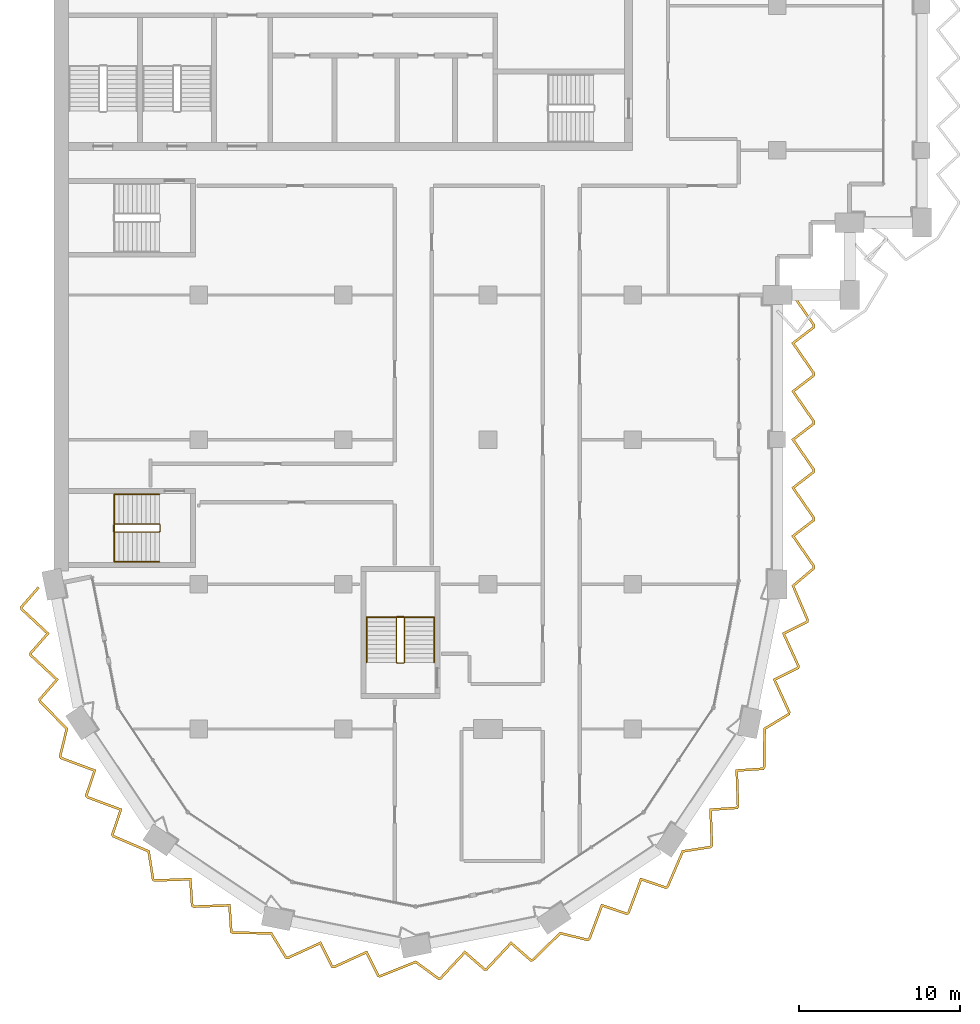
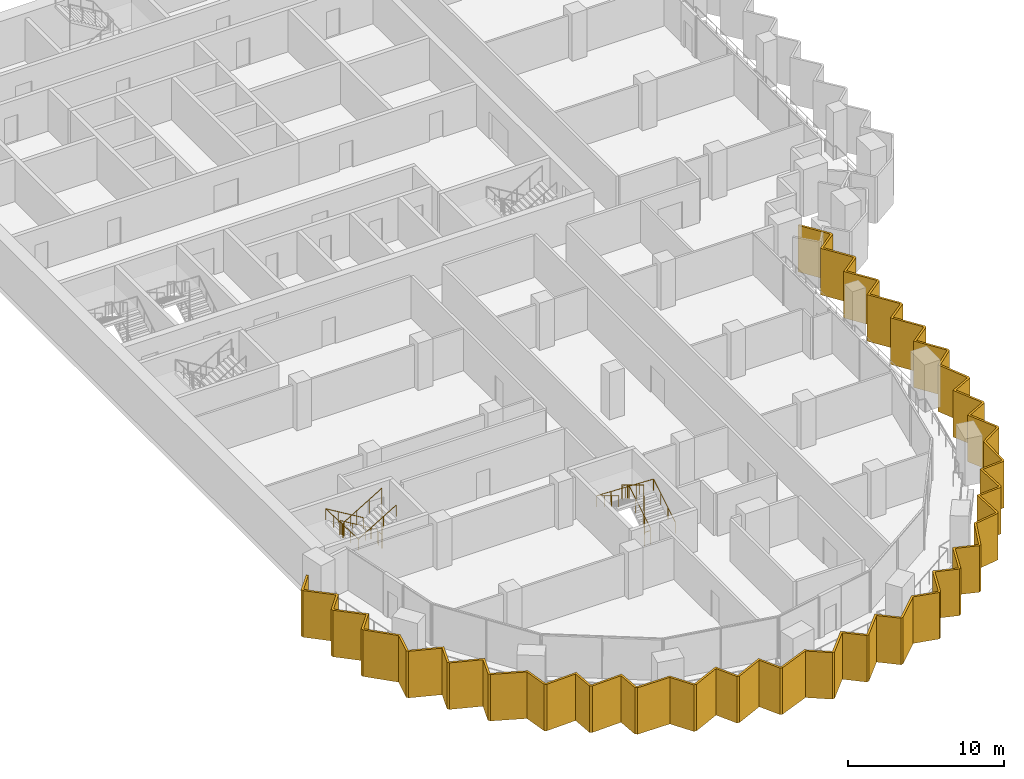
# One storey, part 14 of 17: 4 railings, 1 shading device.
"""IFC4 building model written with IfcOpenShell, lengths in metres."""

import ifcopenshell
import ifcopenshell.guid

model = None  # the IFC model being written
_history = None  # IfcOwnerHistory: only IFC2X3 demands one
_inside = {}  # id of a spatial element -> (the spatial element, [elements in it])
_under = {}  # id of a project, library or spatial element -> (it, [spatial elements below it])
_declared = {}  # id of a project -> (the project, [libraries it declares])
_typed = {}  # id of a type object -> (the type object, [elements of that type])
_made_of = {}  # id of a material, layer set ... -> (it, [elements and type objects made of it])


def new_model(schema):
    """Start an empty IFC model of exactly this schema.

    Asked for "IFC4X3", IfcOpenShell would pick the latest addendum, in which some entities
    have other attributes; the version numbers below select the first issue.
    IFC2X3 requires an IfcOwnerHistory on every rooted entity: one is made here for all.
    """
    global model, _history
    if schema == "IFC4X3":
        model = ifcopenshell.file(schema_version=(4, 3, 0, 0))
    else:
        model = ifcopenshell.file(schema=schema)
    _inside.clear()
    _under.clear()
    _declared.clear()
    _typed.clear()
    _made_of.clear()
    _history = None
    if model.schema == "IFC2X3":
        org = make("IfcOrganization", Name="unknown")
        user = make(
            "IfcPersonAndOrganization",
            ThePerson=make("IfcPerson", FamilyName="unknown"),
            TheOrganization=org,
        )
        app = make(
            "IfcApplication",
            ApplicationDeveloper=org,
            Version="unknown",
            ApplicationFullName="unknown",
            ApplicationIdentifier="unknown",
        )
        _history = make(
            "IfcOwnerHistory",
            OwningUser=user,
            OwningApplication=app,
            ChangeAction="ADDED",
            CreationDate=0,
        )
    return model


def make(cls, **values):
    """One entity of the class cls with the attributes given. An attribute that is None is left unset."""
    return model.create_entity(
        cls, **{name: value for name, value in values.items() if value is not None}
    )


def rooted(cls, **values):
    """An entity with a GlobalId (a new one), such as an element, a storey or a relation."""
    return make(cls, GlobalId=ifcopenshell.guid.new(), OwnerHistory=_history, **values)


def si_unit(unit_type, name, prefix=None):
    """IfcSIUnit, for example si_unit("LENGTHUNIT", "METRE", prefix="MILLI")."""
    return make("IfcSIUnit", UnitType=unit_type, Prefix=prefix, Name=name)


def assignment(units):
    """IfcUnitAssignment: the units of a project."""
    return None if units is None else make("IfcUnitAssignment", Units=units)


def point(xyz):
    """IfcCartesianPoint."""
    return None if xyz is None else make("IfcCartesianPoint", Coordinates=xyz)


def direction(xyz):
    """IfcDirection."""
    return None if xyz is None else make("IfcDirection", DirectionRatios=xyz)


def frame(location, z_axis=None, x_axis=None):
    """IfcAxis2Placement3D, a coordinate frame: its origin and axes. An axis left out is left unset."""
    return make(
        "IfcAxis2Placement3D",
        Location=point(location),
        Axis=direction(z_axis),
        RefDirection=direction(x_axis),
    )


def frame_2d(location, x_axis=None):
    """IfcAxis2Placement2D, a coordinate frame in the plane: its origin and x axis."""
    return make(
        "IfcAxis2Placement2D", Location=point(location), RefDirection=direction(x_axis)
    )


def origin():
    """The frame at (0, 0, 0) with its axes left unset."""
    return frame((0.0, 0.0, 0.0))


def origin_2d():
    """The frame at (0, 0) in the plane with its x axis left unset."""
    return frame_2d((0.0, 0.0))


def place(relative_to, where):
    """IfcLocalPlacement: puts the frame where relative to a parent placement (None: the world)."""
    return make(
        "IfcLocalPlacement", PlacementRelTo=relative_to, RelativePlacement=where
    )


def context(
    kind, dimensions, precision=None, world=None, true_north=None, identifier=None
):
    """IfcGeometricRepresentationContext, for example the 3D "Model" context."""
    return make(
        "IfcGeometricRepresentationContext",
        ContextIdentifier=identifier,
        ContextType=kind,
        CoordinateSpaceDimension=dimensions,
        Precision=precision,
        WorldCoordinateSystem=world,
        TrueNorth=true_north,
    )


def subcontext(parent, identifier, kind, view, scale=None):
    """IfcGeometricRepresentationSubContext, for example "Body" below "Model"."""
    return make(
        "IfcGeometricRepresentationSubContext",
        ContextIdentifier=identifier,
        ContextType=kind,
        ParentContext=parent,
        TargetScale=scale,
        TargetView=view,
    )


def project(units=None, contexts=None):
    """IfcProject with its units and contexts."""
    return rooted(
        "IfcProject",
        Name="project",
        RepresentationContexts=contexts,
        UnitsInContext=assignment(units),
    )


def spatial(cls, under=None, at=None, **own):
    """A site, building, storey or space (cls), placed at a placement, below another one or the project."""
    s = rooted(cls, ObjectPlacement=at, **own)
    if under is not None:
        _under.setdefault(under.id(), (under, []))[1].append(s)
    return s


def polyline(points):
    """IfcPolyline through the points."""
    return make("IfcPolyline", Points=[point(p) for p in points])


def profile(cls, at=None, kind="AREA", **sizes):
    """A parametric profile (cls). Its sizes go by their IFC names, for example OverallWidth=200.0."""
    return make(cls, ProfileType=kind, Position=at, **sizes)


def circle(**sizes):
    """IfcCircleProfileDef."""
    return profile("IfcCircleProfileDef", **sizes)


def outline(outer, holes=None, kind="AREA"):
    """IfcArbitraryClosedProfileDef: a profile drawn as a closed curve; with holes, ...WithVoids."""
    if holes is None:
        return make("IfcArbitraryClosedProfileDef", ProfileType=kind, OuterCurve=outer)
    return make(
        "IfcArbitraryProfileDefWithVoids",
        ProfileType=kind,
        OuterCurve=outer,
        InnerCurves=holes,
    )


def extrude(swept, where, along, depth):
    """IfcExtrudedAreaSolid: the profile swept, set in the frame where, extruded along a direction by depth."""
    return make(
        "IfcExtrudedAreaSolid",
        SweptArea=swept,
        Position=where,
        ExtrudedDirection=direction(along),
        Depth=depth,
    )


def shape(context_of_items, identifier, shape_type, items):
    """IfcShapeRepresentation: the items that make up one representation, for example the "Body"."""
    return make(
        "IfcShapeRepresentation",
        ContextOfItems=context_of_items,
        RepresentationIdentifier=identifier,
        RepresentationType=shape_type,
        Items=items,
    )


def material(Name=None, Category=None):
    """IfcMaterial."""
    return make("IfcMaterial", Name=Name, Category=Category)


def layer(
    of_material, thickness, ventilated=None, Name=None, Category=None, Priority=None
):
    """IfcMaterialLayer: one layer of a wall or slab, of a material (None: an air gap)."""
    return make(
        "IfcMaterialLayer",
        Material=of_material,
        LayerThickness=thickness,
        IsVentilated=ventilated,
        Name=Name,
        Category=Category,
        Priority=Priority,
    )


def layer_set(layers, Name=None):
    """IfcMaterialLayerSet."""
    return make("IfcMaterialLayerSet", MaterialLayers=layers, LayerSetName=Name)


def made_of(thing, what):
    """Note that an element or type object is made of a material, layer set ...; save() writes the relation."""
    if what is not None:
        _made_of.setdefault(what.id(), (what, []))[1].append(thing)
    return thing


def type_object(cls, material=None, **own):
    """A type object (cls), such as IfcWallType, which elements share."""
    return made_of(rooted(cls, **own), material)


def element(
    cls,
    number,
    at=None,
    inside=None,
    cuts=None,
    type_object=None,
    material=None,
    context=None,
    identifier="Body",
    shape_type=None,
    held_by="IfcProductDefinitionShape",
    body=None,
    shapes=None,
    **own,
):
    """One element of the class cls, such as IfcWall. Its Tag is "e" and its number.

    at: its placement. inside: the storey or other place that contains it. cuts: it is an
    opening in that element (IfcRelVoidsElement). A single representation is given by context,
    identifier, shape_type and body (its items); several are given by shapes. held_by: the class
    of the entity that holds the representations. save() writes the other relations.
    """
    e = rooted(cls, Tag="e%d" % number, ObjectPlacement=at, **own)
    if body is not None:
        shapes = [shape(context, identifier, shape_type, body)]
    if shapes is not None:
        e.Representation = make(held_by, Representations=shapes)
    if inside is not None:
        _inside.setdefault(inside.id(), (inside, []))[1].append(e)
    if cuts is not None:
        rooted(
            "IfcRelVoidsElement", RelatingBuildingElement=cuts, RelatedOpeningElement=e
        )
    if type_object is not None:
        _typed.setdefault(type_object.id(), (type_object, []))[1].append(e)
    return made_of(e, material)


def aggregate(whole, parts):
    """IfcRelAggregates: a whole, such as a stair, and the parts it consists of."""
    return rooted("IfcRelAggregates", RelatingObject=whole, RelatedObjects=parts)


def save(model, path):
    """Write the relations noted so far, then the file.

    IfcRelAggregates (storeys below a building ...), IfcRelContainedInSpatialStructure (elements
    in a storey), IfcRelDefinesByType, IfcRelAssociatesMaterial and IfcRelDeclares: one each for
    every whole, place, type object, material and project.
    """
    for whole, parts in _under.values():
        aggregate(whole, parts)
    for where, things in _inside.values():
        rooted(
            "IfcRelContainedInSpatialStructure",
            RelatedElements=things,
            RelatingStructure=where,
        )
    for kind, things in _typed.values():
        rooted("IfcRelDefinesByType", RelatedObjects=things, RelatingType=kind)
    for what, things in _made_of.values():
        rooted("IfcRelAssociatesMaterial", RelatedObjects=things, RelatingMaterial=what)
    for by, libraries in _declared.values():
        rooted("IfcRelDeclares", RelatingContext=by, RelatedDefinitions=libraries)
    model.write(path)


model = new_model("IFC4")

# Units and contexts
model_context = context("Model", 3, precision=1e-05, world=origin(), true_north=direction((0.0, 1.0)))
body_context = subcontext(model_context, "Body", "Model", "MODEL_VIEW")
ifc_project = project(units=[si_unit("LENGTHUNIT", "METRE"), si_unit("AREAUNIT", "SQUARE_METRE"), si_unit("VOLUMEUNIT", "CUBIC_METRE"), si_unit("PLANEANGLEUNIT", "RADIAN"), si_unit("MASSUNIT", "GRAM", prefix="KILO")], contexts=[model_context])

# Site, building, storey
site_placement = place(None, origin())
site = spatial("IfcSite", under=ifc_project, at=site_placement, CompositionType="ELEMENT")
building_placement = place(site_placement, origin())
building = spatial("IfcBuilding", under=site, at=building_placement, Name="Hunhe Ridgeline Campus", CompositionType="ELEMENT")
storey_placement = place(building_placement, frame((0.0, 0.0, 212.39990234375)))
storey = spatial("IfcBuildingStorey", under=building, at=storey_placement, Name="L54", CompositionType="ELEMENT", Elevation=212.39990234375)

# Shading device
ifc_material_1 = material(Name="Concrete C50", Category="concrete")
ifc_layer = layer(ifc_material_1, 0.14990234375)
ifc_layer_set = layer_set([ifc_layer], Name="Sawtooth concrete fin 150 Concrete C50")
shading_device_type = type_object("IfcShadingDeviceType", Name="Sawtooth concrete fin 150 Concrete C50", PredefinedType="USERDEFINED", material=ifc_layer_set)
shading_device_placement = place(storey_placement, frame((0.0, 0.0, -0.949951171875)))
element("IfcShadingDevice", 1, at=shading_device_placement, inside=storey, type_object=shading_device_type, Name="Concrete fin screen 1", ObjectType="FIN", PredefinedType="USERDEFINED", context=body_context, shape_type="SweptSolid", body=[
    extrude(outline(polyline([(-0.899658203125, 35.760498046875), (-1.0126953125, 35.859130859375), (-2.116455078125, 34.594970703125), (-2.081298828125, 34.417236328125), (-0.489501953125, 32.934326171875), (-1.545654296875, 31.724853515625), (-1.51025390625, 31.547119140625), (0.081298828125, 30.064208984375), (-0.974853515625, 28.854736328125), (-0.939697265625, 28.678955078125), (0.711669921875, 26.986572265625), (0.297119140625, 25.2783203125), (0.3955078125, 25.130859375), (2.43359375, 24.369873046875), (1.920654296875, 22.848388671875), (2.021484375, 22.69775390625), (4.059326171875, 21.936767578125), (3.546630859375, 20.415283203125), (3.64599609375, 20.266357421875), (5.8193359375, 19.33447265625), (6.09033203125, 17.59765625), (6.237548828125, 17.499267578125), (8.41162109375, 17.576171875), (8.520263671875, 15.97412109375), (8.670654296875, 15.87353515625), (10.8447265625, 15.9501953125), (10.953369140625, 14.348388671875), (11.102294921875, 14.248779296875), (13.466796875, 14.2197265625), (14.381591796875, 12.71875), (14.555419921875, 12.684326171875), (16.53466796875, 13.587158203125), (17.247802734375, 12.148681640625), (17.425537109375, 12.11328125), (19.40478515625, 13.016357421875), (20.117919921875, 11.577880859375), (20.293701171875, 11.542724609375), (22.4892578125, 12.4208984375), (23.908935546875, 11.38427734375), (24.082763671875, 11.418701171875), (25.565673828125, 13.010498046875), (26.775146484375, 11.954345703125), (26.952880859375, 11.98974609375), (28.435791015625, 13.581298828125), (29.645263671875, 12.525146484375), (29.821044921875, 12.560302734375), (31.513427734375, 14.211669921875), (33.2216796875, 13.797119140625), (33.369140625, 13.8955078125), (34.130126953125, 15.93359375), (35.651611328125, 15.420654296875), (35.80224609375, 15.521484375), (36.563232421875, 17.559326171875), (38.084716796875, 17.046630859375), (38.233642578125, 17.14599609375), (39.16552734375, 19.3193359375), (40.90234375, 19.59033203125), (41.000732421875, 19.737548828125), (40.923828125, 21.91162109375), (42.52587890625, 22.020263671875), (42.62646484375, 22.170654296875), (42.5498046875, 24.3447265625), (44.151611328125, 24.453369140625), (44.251220703125, 24.602294921875), (44.2802734375, 26.966796875), (45.78125, 27.881591796875), (45.815673828125, 28.055419921875), (44.912841796875, 30.03466796875), (46.351318359375, 30.747802734375), (46.38671875, 30.925537109375), (45.483642578125, 32.90478515625), (46.922119140625, 33.617919921875), (46.957275390625, 33.794677734375), (46.065673828125, 35.88232421875), (47.35009765625, 36.96728515625), (47.35009765625, 37.1455078125), (46.0771484375, 38.984130859375), (47.35009765625, 39.965087890625), (47.35009765625, 40.1455078125), (46.0771484375, 41.984130859375), (47.35009765625, 42.965087890625), (47.35009765625, 43.1455078125), (46.0771484375, 44.984130859375), (47.35009765625, 45.965087890625), (47.35009765625, 46.1455078125), (46.0771484375, 47.984130859375), (47.35009765625, 48.965087890625), (47.35009765625, 49.1455078125), (46.0771484375, 50.984130859375), (47.35009765625, 51.965087890625), (47.35009765625, 52.1455078125), (46.03662109375, 54.042724609375), (45.913330078125, 53.957275390625), (47.199951171875, 52.0986328125), (47.199951171875, 52.038818359375), (45.872802734375, 51.015869140625), (47.199951171875, 49.0986328125), (47.199951171875, 49.038818359375), (45.872802734375, 48.015869140625), (47.199951171875, 46.0986328125), (47.199951171875, 46.038818359375), (45.872802734375, 45.015869140625), (47.199951171875, 43.0986328125), (47.199951171875, 43.038818359375), (45.872802734375, 42.015869140625), (47.199951171875, 40.0986328125), (47.199951171875, 40.038818359375), (45.872802734375, 39.015869140625), (47.199951171875, 37.0986328125), (47.199951171875, 37.036865234375), (45.88427734375, 35.925537109375), (46.80126953125, 33.7783203125), (46.78955078125, 33.7197265625), (45.287109375, 32.974609375), (46.22998046875, 30.9072265625), (46.218505859375, 30.849609375), (44.716064453125, 30.1044921875), (45.6591796875, 28.037109375), (45.64697265625, 27.9755859375), (44.13134765625, 27.051513671875), (44.101806640625, 24.648681640625), (44.06787109375, 24.59814453125), (42.394775390625, 24.484619140625), (42.474853515625, 22.2138671875), (42.442138671875, 22.164794921875), (40.768798828125, 22.051513671875), (40.84912109375, 19.78076171875), (40.814208984375, 19.728271484375), (39.060302734375, 19.454833984375), (38.113525390625, 17.24609375), (38.062744140625, 17.212158203125), (36.4736328125, 17.747802734375), (35.6787109375, 15.619140625), (35.629638671875, 15.58642578125), (34.040283203125, 16.1220703125), (33.245361328125, 13.993408203125), (33.193115234375, 13.95849609375), (31.46826171875, 14.376953125), (29.748046875, 12.69873046875), (29.6884765625, 12.686767578125), (28.425048828125, 13.789794921875), (26.8759765625, 12.12744140625), (26.818359375, 12.115966796875), (25.554931640625, 13.218994140625), (24.005859375, 11.556396484375), (23.9443359375, 11.544189453125), (22.5107421875, 12.591064453125), (20.279296875, 11.69873046875), (20.2197265625, 11.71044921875), (19.474609375, 13.212890625), (17.4072265625, 12.27001953125), (17.349609375, 12.281494140625), (16.6044921875, 13.783935546875), (14.537109375, 12.8408203125), (14.4755859375, 12.85302734375), (13.551513671875, 14.36865234375), (11.148681640625, 14.398193359375), (11.09814453125, 14.43212890625), (10.984619140625, 16.105224609375), (8.7138671875, 16.025146484375), (8.664794921875, 16.057861328125), (8.551513671875, 17.731201171875), (6.28076171875, 17.65087890625), (6.228271484375, 17.685791015625), (5.954833984375, 19.439697265625), (3.74609375, 20.386474609375), (3.712158203125, 20.437255859375), (4.247802734375, 22.0263671875), (2.119140625, 22.8212890625), (2.08642578125, 22.870361328125), (2.6220703125, 24.459716796875), (0.493408203125, 25.254638671875), (0.45849609375, 25.306884765625), (0.876953125, 27.03173828125), (-0.80126953125, 28.751953125), (-0.813232421875, 28.8115234375), (0.289794921875, 30.074951171875), (-1.37255859375, 31.6240234375), (-1.384033203125, 31.681640625), (-0.281005859375, 32.945068359375), (-1.943603515625, 34.494140625), (-1.955078125, 34.5517578125), (-0.899658203125, 35.760498046875)])), origin(), (0.0, 0.0, 1.0), 3.650146484375),
])

# Railings
ifc_material_2 = material(Name="Stainless steel balustrade", Category="steel")
railing_type_1 = type_object("IfcRailingType", Name="Stair guard 1100 stainless", PredefinedType="GUARDRAIL", material=ifc_material_2)
railing_1_placement = place(storey_placement, frame((21.800048828125, 31.14990234375, 0.168212890625)))
element("IfcRailing", 2, at=railing_1_placement, inside=storey, type_object=railing_type_1, Name="L54 stair W3 guard", PredefinedType="GUARDRAIL", context=body_context, shape_type="SweptSolid", body=[
    extrude(circle(Radius=0.02392578125, at=origin_2d()), frame((0.0, 0.0, 1.076171875), z_axis=(0.0, 0.857242210791, 0.514913383045), x_axis=(-1.0, 0.0, 0.0)), (0.0, 0.0, 1.0), 3.266357421875),
    extrude(circle(Radius=0.02392578125, at=origin_2d()), frame((0.0, 2.800048828125, 2.7578125), z_axis=(-0.707106781187, 0.707106781187, 0.0), x_axis=(-0.707106781187, -0.707106781187, 0.0)), (0.0, 0.0, 1.0), 0.07080078125),
    extrude(circle(Radius=0.02392578125, at=origin_2d()), frame((-0.050048828125, 2.85009765625, 2.7578125), z_axis=(-1.0, 0.0, 0.0), x_axis=(0.0, -1.0, 0.0)), (0.0, 0.0, 1.0), 0.39990234375),
    extrude(circle(Radius=0.02392578125, at=origin_2d()), frame((-0.449951171875, 2.85009765625, 2.7578125), z_axis=(-0.274243871929, -0.274243871929, 0.92172696468), x_axis=(0.707106781187, -0.707106781187, 0.0)), (0.0, 0.0, 1.0), 0.1826171875),
    extrude(circle(Radius=0.02392578125, at=origin_2d()), frame((-0.5, 2.800048828125, 2.92626953125), z_axis=(0.0, -0.857242210791, 0.514913383045), x_axis=(1.0, 0.0, 0.0)), (0.0, 0.0, 1.0), 3.266357421875),
    extrude(circle(Radius=0.02392578125, at=origin_2d()), frame((-0.5, 0.0, 4.60791015625), z_axis=(0.013523534403, -0.013457565943, -0.999817987404), x_axis=(0.705375805398, 0.708833529934, 0.0)), (0.0, 0.0, 1.0), 3.700927734375),
    extrude(circle(Radius=0.02392578125, at=origin_2d()), frame((-0.449951171875, -0.0498046875, 0.90771484375), z_axis=(1.0, 0.0, 0.0), x_axis=(0.0, 1.0, 0.0)), (0.0, 0.0, 1.0), 0.39990234375),
    extrude(circle(Radius=0.02099609375, at=origin_2d()), origin(), (0.0, 0.0, 1.0), 1.052001953125),
    extrude(circle(Radius=0.02099609375, at=origin_2d()), frame((0.0, 0.933349609375, 0.560546875)), (0.0, 0.0, 1.0), 1.052001953125),
    extrude(circle(Radius=0.02099609375, at=origin_2d()), frame((0.0, 1.86669921875, 1.121337890625)), (0.0, 0.0, 1.0), 1.052001953125),
    extrude(circle(Radius=0.02099609375, at=origin_2d()), frame((0.0, 2.800048828125, 1.681884765625)), (0.0, 0.0, 1.0), 1.052001953125),
    extrude(circle(Radius=0.02099609375, at=origin_2d()), frame((-0.050048828125, 2.85009765625, 1.681884765625)), (0.0, 0.0, 1.0), 1.052001953125),
    extrude(circle(Radius=0.02099609375, at=origin_2d()), frame((-0.449951171875, 2.85009765625, 1.681884765625)), (0.0, 0.0, 1.0), 1.052001953125),
    extrude(circle(Radius=0.02099609375, at=origin_2d()), frame((-0.5, 2.800048828125, 1.85009765625)), (0.0, 0.0, 1.0), 1.052001953125),
    extrude(circle(Radius=0.02099609375, at=origin_2d()), frame((-0.5, 1.86669921875, 2.41064453125)), (0.0, 0.0, 1.0), 1.052001953125),
    extrude(circle(Radius=0.02099609375, at=origin_2d()), frame((-0.5, 0.933349609375, 2.971435546875)), (0.0, 0.0, 1.0), 1.052001953125),
    extrude(circle(Radius=0.02099609375, at=origin_2d()), frame((-0.5, 0.0, 3.531982421875)), (0.0, 0.0, 1.0), 1.052001953125),
    extrude(circle(Radius=0.02099609375, at=origin_2d()), frame((-0.487548828125, -0.012451171875, 2.60693359375)), (0.0, 0.0, 1.0), 1.052001953125),
    extrude(circle(Radius=0.02099609375, at=origin_2d()), frame((-0.47509765625, -0.02490234375, 1.681884765625)), (0.0, 0.0, 1.0), 1.052001953125),
    extrude(circle(Radius=0.02099609375, at=origin_2d()), frame((-0.46240234375, -0.037353515625, 0.7568359375)), (0.0, 0.0, 1.0), 1.052001953125),
    extrude(circle(Radius=0.02099609375, at=origin_2d()), frame((-0.449951171875, -0.0498046875, -0.168212890625)), (0.0, 0.0, 1.0), 1.052001953125),
    extrude(circle(Radius=0.02099609375, at=origin_2d()), frame((-0.050048828125, -0.0498046875, -0.168212890625)), (0.0, 0.0, 1.0), 1.052001953125),
])
railing_2_placement = place(storey_placement, frame((6.550048828125, 39.75, 0.168212890625)))
element("IfcRailing", 3, at=railing_2_placement, inside=storey, type_object=railing_type_1, Name="L54 stair W1 guard", PredefinedType="GUARDRAIL", context=body_context, shape_type="SweptSolid", body=[
    extrude(circle(Radius=0.02392578125, at=origin_2d()), frame((0.0, 0.0, 1.076171875), z_axis=(-0.857242210791, 0.0, 0.514913383045), x_axis=(0.0, -1.0, 0.0)), (0.0, 0.0, 1.0), 3.266357421875),
    extrude(circle(Radius=0.02392578125, at=origin_2d()), frame((-2.800048828125, 0.0, 2.7578125), z_axis=(-0.707106781187, -0.707106781187, 0.0), x_axis=(0.707106781187, -0.707106781187, 0.0)), (0.0, 0.0, 1.0), 0.07080078125),
    extrude(circle(Radius=0.02392578125, at=origin_2d()), frame((-2.85009765625, -0.050048828125, 2.7578125), z_axis=(0.0, -1.0, 0.0), x_axis=(1.0, 0.0, 0.0)), (0.0, 0.0, 1.0), 0.39990234375),
    extrude(circle(Radius=0.02392578125, at=origin_2d()), frame((-2.85009765625, -0.449951171875, 2.7578125), z_axis=(0.274243871929, -0.274243871929, 0.92172696468), x_axis=(0.707106781187, 0.707106781187, 0.0)), (0.0, 0.0, 1.0), 0.1826171875),
    extrude(circle(Radius=0.02392578125, at=origin_2d()), frame((-2.800048828125, -0.5, 2.92626953125), z_axis=(0.857242210791, 0.0, 0.514913383045), x_axis=(0.0, 1.0, 0.0)), (0.0, 0.0, 1.0), 3.266357421875),
    extrude(circle(Radius=0.02392578125, at=origin_2d()), frame((0.0, -0.5, 4.60791015625), z_axis=(0.013523522368, 0.013523522368, -0.999817097616), x_axis=(-0.707106781187, 0.707106781187, 0.0)), (0.0, 0.0, 1.0), 3.700927734375),
    extrude(circle(Radius=0.02392578125, at=origin_2d()), frame((0.050048828125, -0.449951171875, 0.90771484375), z_axis=(0.0, 1.0, 0.0), x_axis=(-1.0, 0.0, 0.0)), (0.0, 0.0, 1.0), 0.39990234375),
    extrude(circle(Radius=0.02099609375, at=origin_2d()), origin(), (0.0, 0.0, 1.0), 1.052001953125),
    extrude(circle(Radius=0.02099609375, at=origin_2d()), frame((-0.933349609375, 0.0, 0.560546875)), (0.0, 0.0, 1.0), 1.052001953125),
    extrude(circle(Radius=0.02099609375, at=origin_2d()), frame((-1.86669921875, 0.0, 1.121337890625)), (0.0, 0.0, 1.0), 1.052001953125),
    extrude(circle(Radius=0.02099609375, at=origin_2d()), frame((-2.800048828125, 0.0, 1.681884765625)), (0.0, 0.0, 1.0), 1.052001953125),
    extrude(circle(Radius=0.02099609375, at=origin_2d()), frame((-2.85009765625, -0.050048828125, 1.681884765625)), (0.0, 0.0, 1.0), 1.052001953125),
    extrude(circle(Radius=0.02099609375, at=origin_2d()), frame((-2.85009765625, -0.449951171875, 1.681884765625)), (0.0, 0.0, 1.0), 1.052001953125),
    extrude(circle(Radius=0.02099609375, at=origin_2d()), frame((-2.800048828125, -0.5, 1.85009765625)), (0.0, 0.0, 1.0), 1.052001953125),
    extrude(circle(Radius=0.02099609375, at=origin_2d()), frame((-1.86669921875, -0.5, 2.41064453125)), (0.0, 0.0, 1.0), 1.052001953125),
    extrude(circle(Radius=0.02099609375, at=origin_2d()), frame((-0.933349609375, -0.5, 2.971435546875)), (0.0, 0.0, 1.0), 1.052001953125),
    extrude(circle(Radius=0.02099609375, at=origin_2d()), frame((0.0, -0.5, 3.531982421875)), (0.0, 0.0, 1.0), 1.052001953125),
    extrude(circle(Radius=0.02099609375, at=origin_2d()), frame((0.012451171875, -0.487548828125, 2.60693359375)), (0.0, 0.0, 1.0), 1.052001953125),
    extrude(circle(Radius=0.02099609375, at=origin_2d()), frame((0.02490234375, -0.47509765625, 1.681884765625)), (0.0, 0.0, 1.0), 1.052001953125),
    extrude(circle(Radius=0.02099609375, at=origin_2d()), frame((0.03759765625, -0.46240234375, 0.7568359375)), (0.0, 0.0, 1.0), 1.052001953125),
    extrude(circle(Radius=0.02099609375, at=origin_2d()), frame((0.050048828125, -0.449951171875, -0.168212890625)), (0.0, 0.0, 1.0), 1.052001953125),
    extrude(circle(Radius=0.02099609375, at=origin_2d()), frame((0.050048828125, -0.050048828125, -0.168212890625)), (0.0, 0.0, 1.0), 1.052001953125),
])
ifc_material_3 = material(Name="Stainless steel handrail", Category="steel")
railing_type_2 = type_object("IfcRailingType", Name="Stair handrail 900 stainless", PredefinedType="HANDRAIL", material=ifc_material_3)
railing_3_placement = place(storey_placement, frame((23.64990234375, 31.14990234375, 0.168212890625)))
element("IfcRailing", 4, at=railing_3_placement, inside=storey, type_object=railing_type_2, Name="L54 stair W3 handrail", PredefinedType="HANDRAIL", context=body_context, shape_type="SweptSolid", body=[
    extrude(circle(Radius=0.02392578125, at=origin_2d()), frame((0.0, 0.0, 0.8759765625), z_axis=(0.0, 0.857242210791, 0.514913383045), x_axis=(-1.0, 0.0, 0.0)), (0.0, 0.0, 1.0), 3.266357421875),
    extrude(circle(Radius=0.02392578125, at=origin_2d()), frame((0.0, 2.800048828125, 2.5576171875), z_axis=(-0.999198916169, 0.0, 0.040019069537), x_axis=(0.0, -1.0, 0.0)), (0.0, 0.0, 1.0), 4.203369140625),
    extrude(circle(Radius=0.02392578125, at=origin_2d()), frame((-4.199951171875, 2.800048828125, 2.72607421875), z_axis=(0.0, -0.857242210791, 0.514913383045), x_axis=(1.0, 0.0, 0.0)), (0.0, 0.0, 1.0), 3.266357421875),
    extrude(circle(Radius=0.02099609375, at=origin_2d()), origin(), (0.0, 0.0, 1.0), 0.851806640625),
    extrude(circle(Radius=0.02099609375, at=origin_2d()), frame((0.0, 0.933349609375, 0.560546875)), (0.0, 0.0, 1.0), 0.851806640625),
    extrude(circle(Radius=0.02099609375, at=origin_2d()), frame((0.0, 1.86669921875, 1.121337890625)), (0.0, 0.0, 1.0), 0.851806640625),
    extrude(circle(Radius=0.02099609375, at=origin_2d()), frame((0.0, 2.800048828125, 1.681884765625)), (0.0, 0.0, 1.0), 0.851806640625),
    extrude(circle(Radius=0.02099609375, at=origin_2d()), frame((-1.050048828125, 2.800048828125, 1.723876953125)), (0.0, 0.0, 1.0), 0.851806640625),
    extrude(circle(Radius=0.02099609375, at=origin_2d()), frame((-2.10009765625, 2.800048828125, 1.76611328125)), (0.0, 0.0, 1.0), 0.851806640625),
    extrude(circle(Radius=0.02099609375, at=origin_2d()), frame((-3.14990234375, 2.800048828125, 1.80810546875)), (0.0, 0.0, 1.0), 0.851806640625),
    extrude(circle(Radius=0.02099609375, at=origin_2d()), frame((-4.199951171875, 2.800048828125, 1.85009765625)), (0.0, 0.0, 1.0), 0.851806640625),
    extrude(circle(Radius=0.02099609375, at=origin_2d()), frame((-4.199951171875, 1.86669921875, 2.41064453125)), (0.0, 0.0, 1.0), 0.851806640625),
    extrude(circle(Radius=0.02099609375, at=origin_2d()), frame((-4.199951171875, 0.933349609375, 2.971435546875)), (0.0, 0.0, 1.0), 0.851806640625),
    extrude(circle(Radius=0.02099609375, at=origin_2d()), frame((-4.199951171875, 0.0, 3.531982421875)), (0.0, 0.0, 1.0), 0.851806640625),
])
railing_4_placement = place(storey_placement, frame((6.550048828125, 41.60009765625, 0.168212890625)))
element("IfcRailing", 5, at=railing_4_placement, inside=storey, type_object=railing_type_2, Name="L54 stair W1 handrail", PredefinedType="HANDRAIL", context=body_context, shape_type="SweptSolid", body=[
    extrude(circle(Radius=0.02392578125, at=origin_2d()), frame((0.0, 0.0, 0.8759765625), z_axis=(-0.857242210791, 0.0, 0.514913383045), x_axis=(0.0, -1.0, 0.0)), (0.0, 0.0, 1.0), 3.266357421875),
    extrude(circle(Radius=0.02392578125, at=origin_2d()), frame((-2.800048828125, 0.0, 2.5576171875), z_axis=(0.0, -0.999199009182, 0.040016747113), x_axis=(1.0, 0.0, 0.0)), (0.0, 0.0, 1.0), 4.20361328125),
    extrude(circle(Radius=0.02392578125, at=origin_2d()), frame((-2.800048828125, -4.2001953125, 2.72607421875), z_axis=(0.857242210791, 0.0, 0.514913383045), x_axis=(0.0, 1.0, 0.0)), (0.0, 0.0, 1.0), 3.266357421875),
    extrude(circle(Radius=0.02099609375, at=origin_2d()), origin(), (0.0, 0.0, 1.0), 0.851806640625),
    extrude(circle(Radius=0.02099609375, at=origin_2d()), frame((-0.933349609375, 0.0, 0.560546875)), (0.0, 0.0, 1.0), 0.851806640625),
    extrude(circle(Radius=0.02099609375, at=origin_2d()), frame((-1.86669921875, 0.0, 1.121337890625)), (0.0, 0.0, 1.0), 0.851806640625),
    extrude(circle(Radius=0.02099609375, at=origin_2d()), frame((-2.800048828125, 0.0, 1.681884765625)), (0.0, 0.0, 1.0), 0.851806640625),
    extrude(circle(Radius=0.02099609375, at=origin_2d()), frame((-2.800048828125, -1.050048828125, 1.723876953125)), (0.0, 0.0, 1.0), 0.851806640625),
    extrude(circle(Radius=0.02099609375, at=origin_2d()), frame((-2.800048828125, -2.10009765625, 1.76611328125)), (0.0, 0.0, 1.0), 0.851806640625),
    extrude(circle(Radius=0.02099609375, at=origin_2d()), frame((-2.800048828125, -3.150146484375, 1.80810546875)), (0.0, 0.0, 1.0), 0.851806640625),
    extrude(circle(Radius=0.02099609375, at=origin_2d()), frame((-2.800048828125, -4.2001953125, 1.85009765625)), (0.0, 0.0, 1.0), 0.851806640625),
    extrude(circle(Radius=0.02099609375, at=origin_2d()), frame((-1.86669921875, -4.2001953125, 2.41064453125)), (0.0, 0.0, 1.0), 0.851806640625),
    extrude(circle(Radius=0.02099609375, at=origin_2d()), frame((-0.933349609375, -4.2001953125, 2.971435546875)), (0.0, 0.0, 1.0), 0.851806640625),
    extrude(circle(Radius=0.02099609375, at=origin_2d()), frame((0.0, -4.2001953125, 3.531982421875)), (0.0, 0.0, 1.0), 0.851806640625),
])

save(model, "model.ifc")
